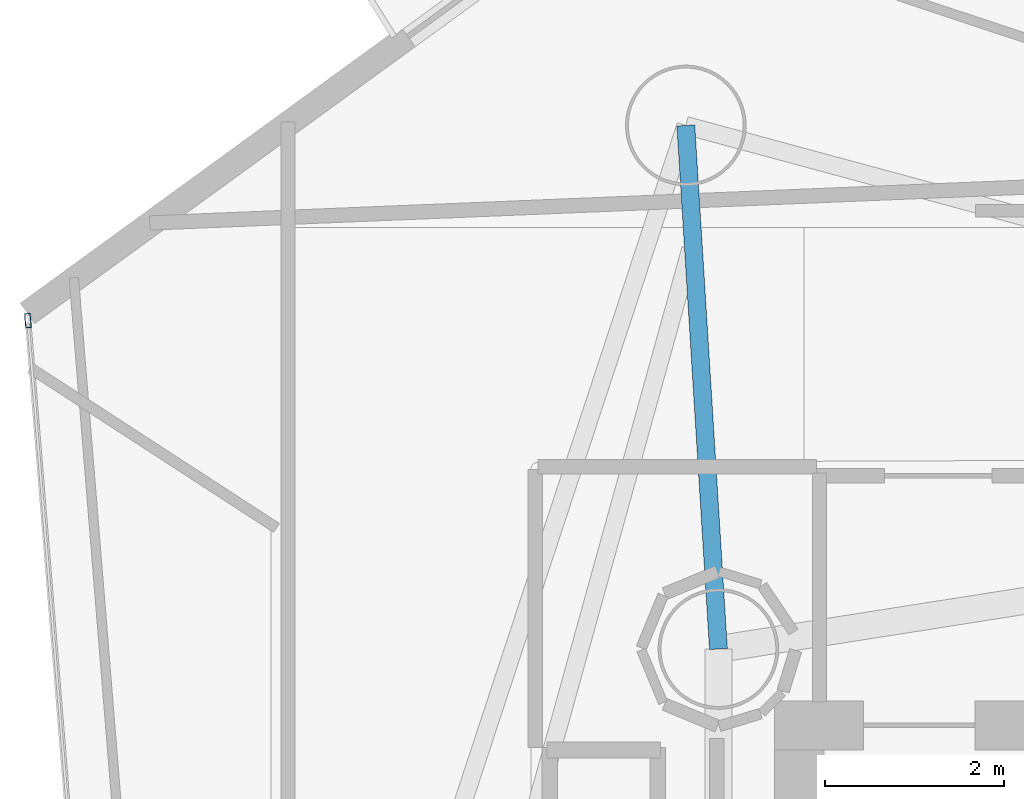
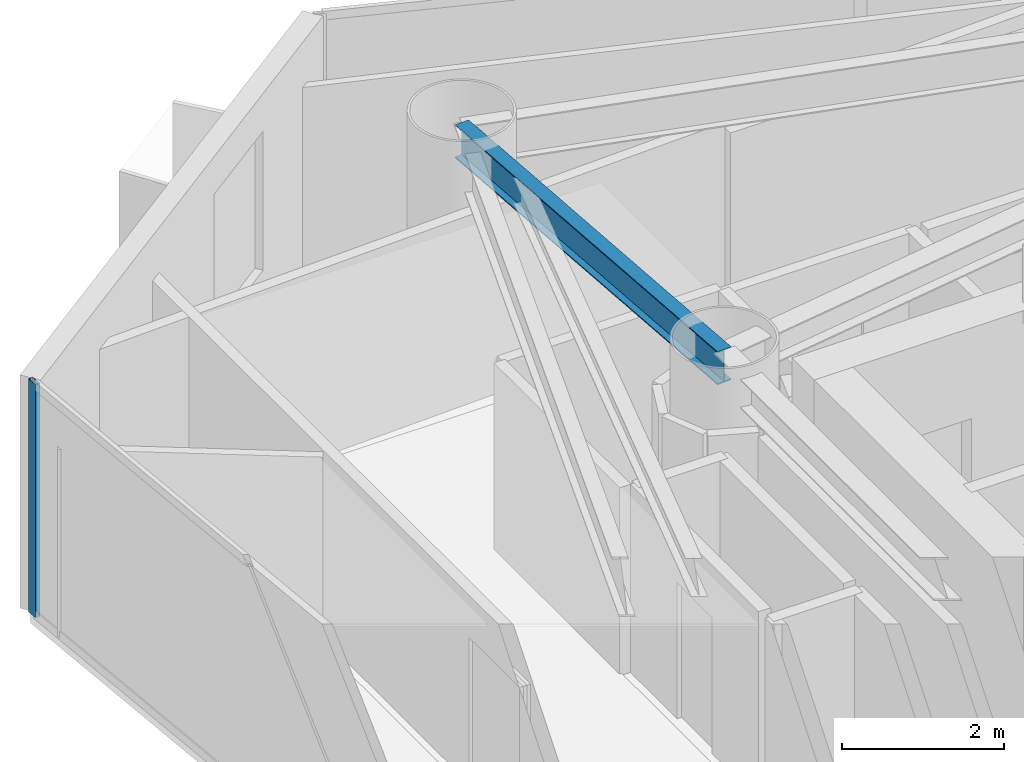
# One storey, part 11 of 21: 1 beam, 1 member, 1 element without a shape of its own.
"""IFC4 building model written with IfcOpenShell, lengths in metres."""

import ifcopenshell
import ifcopenshell.guid

model = None  # the IFC model being written
_history = None  # IfcOwnerHistory: only IFC2X3 demands one
_inside = {}  # id of a spatial element -> (the spatial element, [elements in it])
_under = {}  # id of a project, library or spatial element -> (it, [spatial elements below it])
_declared = {}  # id of a project -> (the project, [libraries it declares])
_typed = {}  # id of a type object -> (the type object, [elements of that type])
_made_of = {}  # id of a material, layer set ... -> (it, [elements and type objects made of it])


def new_model(schema):
    """Start an empty IFC model of exactly this schema.

    Asked for "IFC4X3", IfcOpenShell would pick the latest addendum, in which some entities
    have other attributes; the version numbers below select the first issue.
    IFC2X3 requires an IfcOwnerHistory on every rooted entity: one is made here for all.
    """
    global model, _history
    if schema == "IFC4X3":
        model = ifcopenshell.file(schema_version=(4, 3, 0, 0))
    else:
        model = ifcopenshell.file(schema=schema)
    _inside.clear()
    _under.clear()
    _declared.clear()
    _typed.clear()
    _made_of.clear()
    _history = None
    if model.schema == "IFC2X3":
        org = make("IfcOrganization", Name="unknown")
        user = make(
            "IfcPersonAndOrganization",
            ThePerson=make("IfcPerson", FamilyName="unknown"),
            TheOrganization=org,
        )
        app = make(
            "IfcApplication",
            ApplicationDeveloper=org,
            Version="unknown",
            ApplicationFullName="unknown",
            ApplicationIdentifier="unknown",
        )
        _history = make(
            "IfcOwnerHistory",
            OwningUser=user,
            OwningApplication=app,
            ChangeAction="ADDED",
            CreationDate=0,
        )
    return model


def make(cls, **values):
    """One entity of the class cls with the attributes given. An attribute that is None is left unset."""
    return model.create_entity(
        cls, **{name: value for name, value in values.items() if value is not None}
    )


def rooted(cls, **values):
    """An entity with a GlobalId (a new one), such as an element, a storey or a relation."""
    return make(cls, GlobalId=ifcopenshell.guid.new(), OwnerHistory=_history, **values)


def si_unit(unit_type, name, prefix=None):
    """IfcSIUnit, for example si_unit("LENGTHUNIT", "METRE", prefix="MILLI")."""
    return make("IfcSIUnit", UnitType=unit_type, Prefix=prefix, Name=name)


def assignment(units):
    """IfcUnitAssignment: the units of a project."""
    return None if units is None else make("IfcUnitAssignment", Units=units)


def point(xyz):
    """IfcCartesianPoint."""
    return None if xyz is None else make("IfcCartesianPoint", Coordinates=xyz)


def direction(xyz):
    """IfcDirection."""
    return None if xyz is None else make("IfcDirection", DirectionRatios=xyz)


def frame(location, z_axis=None, x_axis=None):
    """IfcAxis2Placement3D, a coordinate frame: its origin and axes. An axis left out is left unset."""
    return make(
        "IfcAxis2Placement3D",
        Location=point(location),
        Axis=direction(z_axis),
        RefDirection=direction(x_axis),
    )


def frame_2d(location, x_axis=None):
    """IfcAxis2Placement2D, a coordinate frame in the plane: its origin and x axis."""
    return make(
        "IfcAxis2Placement2D", Location=point(location), RefDirection=direction(x_axis)
    )


def origin():
    """The frame at (0, 0, 0) with its axes left unset."""
    return frame((0.0, 0.0, 0.0))


def origin_2d():
    """The frame at (0, 0) in the plane with its x axis left unset."""
    return frame_2d((0.0, 0.0))


def place(relative_to, where):
    """IfcLocalPlacement: puts the frame where relative to a parent placement (None: the world)."""
    return make(
        "IfcLocalPlacement", PlacementRelTo=relative_to, RelativePlacement=where
    )


def context(
    kind, dimensions, precision=None, world=None, true_north=None, identifier=None
):
    """IfcGeometricRepresentationContext, for example the 3D "Model" context."""
    return make(
        "IfcGeometricRepresentationContext",
        ContextIdentifier=identifier,
        ContextType=kind,
        CoordinateSpaceDimension=dimensions,
        Precision=precision,
        WorldCoordinateSystem=world,
        TrueNorth=true_north,
    )


def subcontext(parent, identifier, kind, view, scale=None):
    """IfcGeometricRepresentationSubContext, for example "Body" below "Model"."""
    return make(
        "IfcGeometricRepresentationSubContext",
        ContextIdentifier=identifier,
        ContextType=kind,
        ParentContext=parent,
        TargetScale=scale,
        TargetView=view,
    )


def project(units=None, contexts=None):
    """IfcProject with its units and contexts."""
    return rooted(
        "IfcProject",
        Name="project",
        RepresentationContexts=contexts,
        UnitsInContext=assignment(units),
    )


def spatial(cls, under=None, at=None, **own):
    """A site, building, storey or space (cls), placed at a placement, below another one or the project."""
    s = rooted(cls, ObjectPlacement=at, **own)
    if under is not None:
        _under.setdefault(under.id(), (under, []))[1].append(s)
    return s


def profile(cls, at=None, kind="AREA", **sizes):
    """A parametric profile (cls). Its sizes go by their IFC names, for example OverallWidth=200.0."""
    return make(cls, ProfileType=kind, Position=at, **sizes)


def hollow_rectangle(**sizes):
    """IfcRectangleHollowProfileDef."""
    return profile("IfcRectangleHollowProfileDef", **sizes)


def i_section(**sizes):
    """IfcIShapeProfileDef."""
    return profile("IfcIShapeProfileDef", **sizes)


def extrude(swept, where, along, depth):
    """IfcExtrudedAreaSolid: the profile swept, set in the frame where, extruded along a direction by depth."""
    return make(
        "IfcExtrudedAreaSolid",
        SweptArea=swept,
        Position=where,
        ExtrudedDirection=direction(along),
        Depth=depth,
    )


def shape(context_of_items, identifier, shape_type, items):
    """IfcShapeRepresentation: the items that make up one representation, for example the "Body"."""
    return make(
        "IfcShapeRepresentation",
        ContextOfItems=context_of_items,
        RepresentationIdentifier=identifier,
        RepresentationType=shape_type,
        Items=items,
    )


def material(Name=None, Category=None):
    """IfcMaterial."""
    return make("IfcMaterial", Name=Name, Category=Category)


def layer(
    of_material, thickness, ventilated=None, Name=None, Category=None, Priority=None
):
    """IfcMaterialLayer: one layer of a wall or slab, of a material (None: an air gap)."""
    return make(
        "IfcMaterialLayer",
        Material=of_material,
        LayerThickness=thickness,
        IsVentilated=ventilated,
        Name=Name,
        Category=Category,
        Priority=Priority,
    )


def layer_set(layers, Name=None):
    """IfcMaterialLayerSet."""
    return make("IfcMaterialLayerSet", MaterialLayers=layers, LayerSetName=Name)


def material_profile(
    of_material, cross_section, Name=None, Category=None, Priority=None
):
    """IfcMaterialProfile: a cross section and its material."""
    return make(
        "IfcMaterialProfile",
        Name=Name,
        Material=of_material,
        Profile=cross_section,
        Priority=Priority,
        Category=Category,
    )


def profile_set(profiles, Name=None, composite=None):
    """IfcMaterialProfileSet."""
    return make(
        "IfcMaterialProfileSet",
        Name=Name,
        MaterialProfiles=profiles,
        CompositeProfile=composite,
    )


def made_of(thing, what):
    """Note that an element or type object is made of a material, layer set ...; save() writes the relation."""
    if what is not None:
        _made_of.setdefault(what.id(), (what, []))[1].append(thing)
    return thing


def type_object(cls, material=None, **own):
    """A type object (cls), such as IfcWallType, which elements share."""
    return made_of(rooted(cls, **own), material)


def element(
    cls,
    number,
    at=None,
    inside=None,
    cuts=None,
    type_object=None,
    material=None,
    context=None,
    identifier="Body",
    shape_type=None,
    held_by="IfcProductDefinitionShape",
    body=None,
    shapes=None,
    **own,
):
    """One element of the class cls, such as IfcWall. Its Tag is "e" and its number.

    at: its placement. inside: the storey or other place that contains it. cuts: it is an
    opening in that element (IfcRelVoidsElement). A single representation is given by context,
    identifier, shape_type and body (its items); several are given by shapes. held_by: the class
    of the entity that holds the representations. save() writes the other relations.
    """
    e = rooted(cls, Tag="e%d" % number, ObjectPlacement=at, **own)
    if body is not None:
        shapes = [shape(context, identifier, shape_type, body)]
    if shapes is not None:
        e.Representation = make(held_by, Representations=shapes)
    if inside is not None:
        _inside.setdefault(inside.id(), (inside, []))[1].append(e)
    if cuts is not None:
        rooted(
            "IfcRelVoidsElement", RelatingBuildingElement=cuts, RelatedOpeningElement=e
        )
    if type_object is not None:
        _typed.setdefault(type_object.id(), (type_object, []))[1].append(e)
    return made_of(e, material)


def aggregate(whole, parts):
    """IfcRelAggregates: a whole, such as a stair, and the parts it consists of."""
    return rooted("IfcRelAggregates", RelatingObject=whole, RelatedObjects=parts)


def save(model, path):
    """Write the relations noted so far, then the file.

    IfcRelAggregates (storeys below a building ...), IfcRelContainedInSpatialStructure (elements
    in a storey), IfcRelDefinesByType, IfcRelAssociatesMaterial and IfcRelDeclares: one each for
    every whole, place, type object, material and project.
    """
    for whole, parts in _under.values():
        aggregate(whole, parts)
    for where, things in _inside.values():
        rooted(
            "IfcRelContainedInSpatialStructure",
            RelatedElements=things,
            RelatingStructure=where,
        )
    for kind, things in _typed.values():
        rooted("IfcRelDefinesByType", RelatedObjects=things, RelatingType=kind)
    for what, things in _made_of.values():
        rooted("IfcRelAssociatesMaterial", RelatedObjects=things, RelatingMaterial=what)
    for by, libraries in _declared.values():
        rooted("IfcRelDeclares", RelatingContext=by, RelatedDefinitions=libraries)
    model.write(path)


model = new_model("IFC4")

# Units and contexts
model_context = context("Model", 3, precision=1e-05, world=origin(), true_north=direction((0.0, 1.0)))
body_context = subcontext(model_context, "Body", "Model", "MODEL_VIEW")
ifc_project = project(units=[si_unit("LENGTHUNIT", "METRE"), si_unit("AREAUNIT", "SQUARE_METRE"), si_unit("VOLUMEUNIT", "CUBIC_METRE"), si_unit("PLANEANGLEUNIT", "RADIAN"), si_unit("MASSUNIT", "GRAM", prefix="KILO")], contexts=[model_context])

# Site, building, storey
site_placement = place(None, origin())
site = spatial("IfcSite", under=ifc_project, at=site_placement, CompositionType="ELEMENT")
building_placement = place(site_placement, origin())
building = spatial("IfcBuilding", under=site, at=building_placement, Name="Qianvela Tower", CompositionType="ELEMENT")
storey_placement = place(building_placement, frame((0.0, 0.0, 166.10009765625)))
storey = spatial("IfcBuildingStorey", under=building, at=storey_placement, Name="L42", CompositionType="ELEMENT", Elevation=166.10009765625)

# Beam
ifc_material_1 = material(Name="Steel Q355B", Category="steel")
ifc_material_profile_1 = material_profile(ifc_material_1, i_section(OverallWidth=0.199951171875, OverallDepth=0.5, WebThickness=0.010009765625, FlangeThickness=0.01611328125, at=origin_2d()), Name="HN500x200x10x16")
ifc_profile_set_1 = profile_set([ifc_material_profile_1], Name="Steel Q355B")
beam_type = type_object("IfcBeamType", Name="BM-HN500-GIRD", PredefinedType="BEAM", material=ifc_profile_set_1)
beam_placement = place(storey_placement, frame((28.60009765625, 33.550048828125, 3.267822265625), z_axis=(-0.0621556847, 0.998066466153, 0.0), x_axis=(-0.998066466153, -0.0621556847, 0.0)))
element("IfcBeam", 1, at=beam_placement, inside=storey, type_object=beam_type, Name="L42 Radial Primary Floor Girder 3", PredefinedType="BEAM", context=body_context, shape_type="SweptSolid", body=[
    extrude(i_section(OverallWidth=0.199951171875, OverallDepth=0.5, WebThickness=0.010009765625, FlangeThickness=0.01611328125, at=origin_2d()), origin(), (0.0, 0.0, 1.0), 5.872314453125),
])

# Curtain wall, member
ifc_material_2 = material(Name="Anodised Architectural Aluminium and Low-E Glass", Category="aluminium")
ifc_layer = layer(ifc_material_2, 0.169921875)
ifc_layer_set = layer_set([ifc_layer], Name="Anodised Architectural Aluminium and Low-E Glass")
curtain_wall_type = type_object("IfcCurtainWallType", Name="CW-COLIV-Z34", PredefinedType="USERDEFINED", material=ifc_layer_set)
curtain_wall_placement = place(storey_placement, origin())
curtain_wall = element("IfcCurtainWall", 2, at=curtain_wall_placement, inside=storey, type_object=curtain_wall_type, Name="L42 CW-COLIV-Z34 Curtain Wall 04A", ObjectType="CURTAIN_WALL_SYSTEM", PredefinedType="USERDEFINED")
ifc_material_3 = material(Name="Anodised Architectural Aluminium 6063-T6", Category="aluminium")
ifc_material_profile_2 = material_profile(ifc_material_3, hollow_rectangle(XDim=0.06494140625, YDim=0.159912109375, WallThickness=0.0048828125, at=origin_2d()), Name="ALU-MULL-65x160")
ifc_profile_set_2 = profile_set([ifc_material_profile_2], Name="Anodised Architectural Aluminium 6063-T6")
member_type = type_object("IfcMemberType", Name="CW-COLIV-Z34-MULL", PredefinedType="MULLION", material=ifc_profile_set_2)
member_placement = place(storey_placement, frame((20.8701171875, 37.22607421875, 0.0), z_axis=(0.0, 0.0, 1.0), x_axis=(0.996722439551, 0.080897333058, 0.0)))
member = element("IfcMember", 3, at=member_placement, type_object=member_type, Name="CW-4 mullion 1", PredefinedType="MULLION", context=body_context, shape_type="SweptSolid", body=[
    extrude(hollow_rectangle(XDim=0.06494140625, YDim=0.159912109375, WallThickness=0.0048828125, at=origin_2d()), origin(), (0.0, 0.0, 1.0), 3.52001953125),
])
aggregate(curtain_wall, [member])

save(model, "model.ifc")
